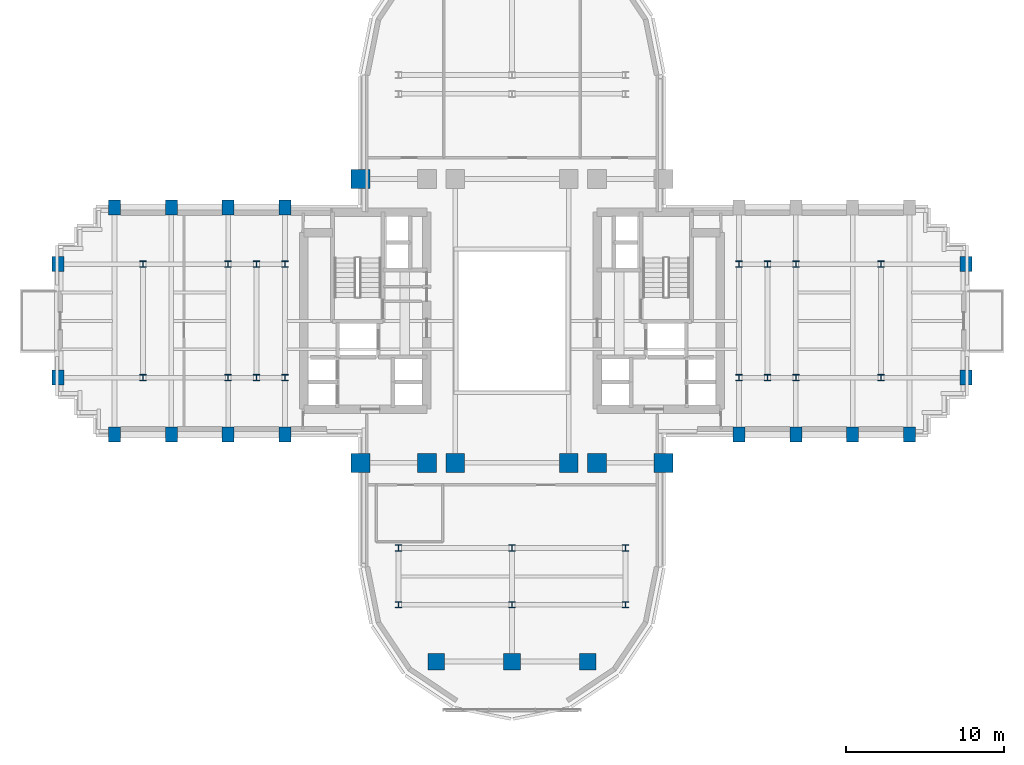
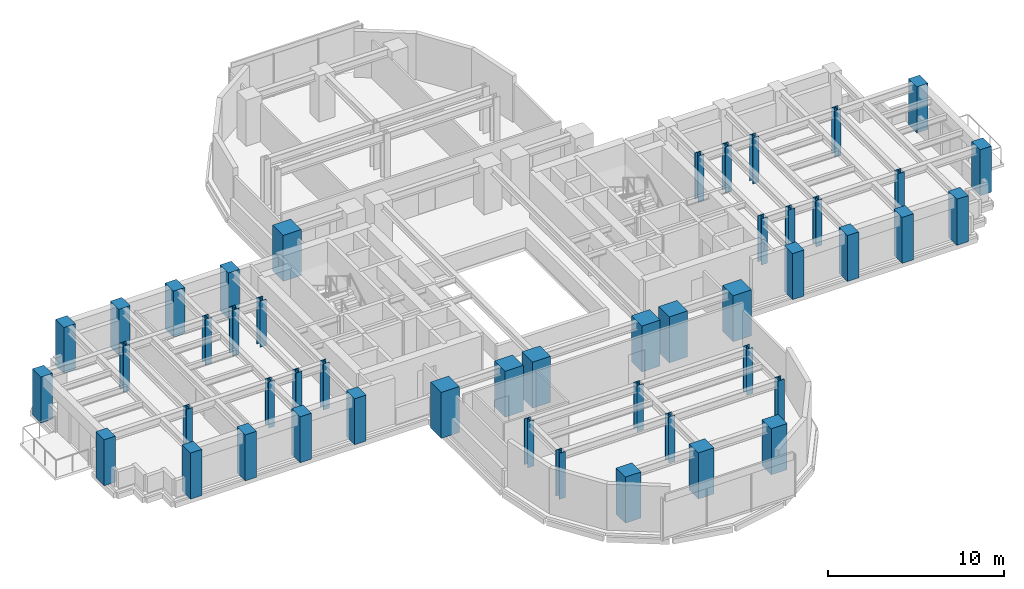
# One storey, part 1 of 14: 48 columns.
"""IFC4 building model written with IfcOpenShell, lengths in metres."""

from ifc_helpers import new_model, si_unit, direction, frame, origin, origin_2d, place, context, subcontext, project, spatial, rectangle, i_section, extrude, source, transform, mapped, material, material_profile, profile_set, type_object, element, save


model = new_model("IFC4")

# Units and contexts
model_context = context("Model", 3, precision=1e-05, world=origin(), true_north=direction((0.0, 1.0)))
body_context = subcontext(model_context, "Body", "Model", "MODEL_VIEW")
ifc_project = project(units=[si_unit("LENGTHUNIT", "METRE"), si_unit("AREAUNIT", "SQUARE_METRE"), si_unit("VOLUMEUNIT", "CUBIC_METRE"), si_unit("PLANEANGLEUNIT", "RADIAN"), si_unit("MASSUNIT", "GRAM", prefix="KILO")], contexts=[model_context])

# Site, building, storey
site_placement = place(None, origin())
site = spatial("IfcSite", under=ifc_project, at=site_placement, CompositionType="ELEMENT")
building_placement = place(site_placement, origin())
building = spatial("IfcBuilding", under=site, at=building_placement, Name="Keilestroom Media Tower", CompositionType="ELEMENT")
storey_placement = place(building_placement, frame((0.0, 0.0, 44.199951171875)))
storey = spatial("IfcBuildingStorey", under=building, at=storey_placement, Name="L10", CompositionType="ELEMENT", Elevation=44.199951171875)

# Columns
ifc_material_1 = material(Name="Precast concrete C40/50", Category="concrete")
ifc_material_profile_1 = material_profile(ifc_material_1, rectangle(XDim=0.75, YDim=0.949951171875, at=origin_2d()), Name="PC 950x750")
ifc_profile_set_1 = profile_set([ifc_material_profile_1], Name="Precast concrete C40/50")
column_type_1 = type_object("IfcColumnType", Name="Structural-Column-PC-950x750", PredefinedType="COLUMN", material=ifc_profile_set_1)
shared_shape_1 = source(origin(), body_context, "Body", "SweptSolid", [
    extrude(rectangle(XDim=0.75, YDim=0.949951171875, at=origin_2d()), origin(), (0.0, 0.0, 1.0), 3.199951171875),
])
for number, where, z_axis, x_axis, name in (
    (1, (-28.800048828125, -3.60009765625, 0.0), (0.0, 0.0, 1.0), (1.0, 0.0, 0.0), "L10 Column PC-1 (-28.8,-3.6)"),
    (2, (-28.800048828125, 3.60009765625, 0.0), (0.0, 0.0, 1.0), (1.0, 0.0, 0.0), "L10 Column PC-1 (-28.8,+3.6)"),
    (3, (-25.199951171875, -7.199951171875, 0.0), (0.0, 0.0, 1.0), (1.0, 0.0, 0.0), "L10 Column PC-1 (-25.2,-7.2)"),
    (4, (-25.199951171875, 7.199951171875, 0.0), (0.0, 0.0, 1.0), (1.0, 0.0, 0.0), "L10 Column PC-1 (-25.2,+7.2)"),
    (5, (-21.60009765625, -7.199951171875, 0.0), (0.0, 0.0, 1.0), (1.0, 0.0, 0.0), "L10 Column PC-1 (-21.6,-7.2)"),
    (6, (-21.60009765625, 7.199951171875, 0.0), (0.0, 0.0, 1.0), (1.0, 0.0, 0.0), "L10 Column PC-1 (-21.6,+7.2)"),
    (7, (-18.0, -7.199951171875, 0.0), (0.0, 0.0, 1.0), (1.0, 0.0, 0.0), "L10 Column PC-1 (-18.0,-7.2)"),
    (8, (-18.0, 7.199951171875, 0.0), (0.0, 0.0, 1.0), (1.0, 0.0, 0.0), "L10 Column PC-1 (-18.0,+7.2)"),
    (9, (-14.39990234375, -7.199951171875, 0.0), (0.0, 0.0, 1.0), (1.0, 0.0, 0.0), "L10 Column PC-1 (-14.4,-7.2)"),
    (10, (-14.39990234375, 7.199951171875, 0.0), (0.0, 0.0, 1.0), (1.0, 0.0, 0.0), "L10 Column PC-1 (-14.4,+7.2)"),
    (11, (14.39990234375, -7.199951171875, 0.0), (0.0, 0.0, 1.0), (1.0, 0.0, 0.0), "L10 Column PC-1 (+14.4,-7.2)"),
    (12, (18.0, -7.199951171875, 0.0), (0.0, 0.0, 1.0), (1.0, 0.0, 0.0), "L10 Column PC-1 (+18.0,-7.2)"),
    (13, (21.60009765625, -7.199951171875, 0.0), (0.0, 0.0, 1.0), (1.0, 0.0, 0.0), "L10 Column PC-1 (+21.6,-7.2)"),
    (14, (25.199951171875, -7.199951171875, 0.0), (0.0, 0.0, 1.0), (1.0, 0.0, 0.0), "L10 Column PC-1 (+25.2,-7.2)"),
    (15, (28.800048828125, -3.60009765625, 0.0), (0.0, 0.0, 1.0), (1.0, 0.0, 0.0), "L10 Column PC-1 (+28.8,-3.6)"),
    (16, (28.800048828125, 3.60009765625, 0.0), (0.0, 0.0, 1.0), (1.0, 0.0, 0.0), "L10 Column PC-1 (+28.8,+3.6)"),
):
    element("IfcColumn", number, at=place(storey_placement, frame(where, z_axis=z_axis, x_axis=x_axis)), inside=storey, type_object=column_type_1, Name=name, PredefinedType="COLUMN", context=body_context, shape_type="MappedRepresentation", body=[
        mapped(shared_shape_1, transform((0.0, 0.0, 0.0), x_axis=(1.0, 0.0, 0.0), y_axis=(0.0, 1.0, 0.0), z_axis=(0.0, 0.0, 1.0), scale=1.0)),
    ])
ifc_material_2 = material(Name="Steel S460", Category="steel")
ifc_material_profile_2 = material_profile(ifc_material_2, i_section(OverallWidth=0.404052734375, OverallDepth=0.406982421875, WebThickness=0.02197265625, FlangeThickness=0.035400390625, at=origin_2d()), Name="HD 400x347")
ifc_profile_set_2 = profile_set([ifc_material_profile_2], Name="Steel S460")
column_type_2 = type_object("IfcColumnType", Name="Structural-Column-HD-400x347", PredefinedType="COLUMN", material=ifc_profile_set_2)
shared_shape_2 = source(origin(), body_context, "Body", "SweptSolid", [
    extrude(i_section(OverallWidth=0.404052734375, OverallDepth=0.406982421875, WebThickness=0.02197265625, FlangeThickness=0.035400390625, at=origin_2d()), origin(), (0.0, 0.0, 1.0), 3.199951171875),
])
for number, where, z_axis, x_axis, name in (
    (17, (-23.39990234375, -3.60009765625, 0.0), (0.0, 0.0, 1.0), (1.0, 0.0, 0.0), "L10 Column SC-2 (-23.4,-3.6)"),
    (18, (-23.39990234375, 3.60009765625, 0.0), (0.0, 0.0, 1.0), (1.0, 0.0, 0.0), "L10 Column SC-2 (-23.4,+3.6)"),
    (19, (-18.0, -3.60009765625, 0.0), (0.0, 0.0, 1.0), (1.0, 0.0, 0.0), "L10 Column SC-2 (-18.0,-3.6)"),
    (20, (-18.0, 3.60009765625, 0.0), (0.0, 0.0, 1.0), (1.0, 0.0, 0.0), "L10 Column SC-2 (-18.0,+3.6)"),
    (21, (-16.199951171875, -3.60009765625, 0.0), (0.0, 0.0, 1.0), (1.0, 0.0, 0.0), "L10 Column SC-2 (-16.2,-3.6)"),
    (22, (-16.199951171875, 3.60009765625, 0.0), (0.0, 0.0, 1.0), (1.0, 0.0, 0.0), "L10 Column SC-2 (-16.2,+3.6)"),
    (23, (-14.39990234375, -3.60009765625, 0.0), (0.0, 0.0, 1.0), (1.0, 0.0, 0.0), "L10 Column SC-2 (-14.4,-3.6)"),
    (24, (-14.39990234375, 3.60009765625, 0.0), (0.0, 0.0, 1.0), (1.0, 0.0, 0.0), "L10 Column SC-2 (-14.4,+3.6)"),
    (25, (-7.199951171875, -18.0, 0.0), (0.0, 0.0, 1.0), (1.0, 0.0, 0.0), "L10 Column SC-2 (-7.2,-18.0)"),
    (26, (-7.199951171875, -14.39990234375, 0.0), (0.0, 0.0, 1.0), (1.0, 0.0, 0.0), "L10 Column SC-2 (-7.2,-14.4)"),
    (27, (0.0, -18.0, 0.0), (0.0, 0.0, 1.0), (1.0, 0.0, 0.0), "L10 Column SC-2 (+0.0,-18.0)"),
    (28, (0.0, -14.39990234375, 0.0), (0.0, 0.0, 1.0), (1.0, 0.0, 0.0), "L10 Column SC-2 (+0.0,-14.4)"),
    (29, (7.199951171875, -18.0, 0.0), (0.0, 0.0, 1.0), (1.0, 0.0, 0.0), "L10 Column SC-2 (+7.2,-18.0)"),
    (30, (7.199951171875, -14.39990234375, 0.0), (0.0, 0.0, 1.0), (1.0, 0.0, 0.0), "L10 Column SC-2 (+7.2,-14.4)"),
    (31, (14.39990234375, -3.60009765625, 0.0), (0.0, 0.0, 1.0), (1.0, 0.0, 0.0), "L10 Column SC-2 (+14.4,-3.6)"),
    (32, (14.39990234375, 3.60009765625, 0.0), (0.0, 0.0, 1.0), (1.0, 0.0, 0.0), "L10 Column SC-2 (+14.4,+3.6)"),
    (33, (16.199951171875, -3.60009765625, 0.0), (0.0, 0.0, 1.0), (1.0, 0.0, 0.0), "L10 Column SC-2 (+16.2,-3.6)"),
    (34, (16.199951171875, 3.60009765625, 0.0), (0.0, 0.0, 1.0), (1.0, 0.0, 0.0), "L10 Column SC-2 (+16.2,+3.6)"),
    (35, (18.0, -3.60009765625, 0.0), (0.0, 0.0, 1.0), (1.0, 0.0, 0.0), "L10 Column SC-2 (+18.0,-3.6)"),
    (36, (18.0, 3.60009765625, 0.0), (0.0, 0.0, 1.0), (1.0, 0.0, 0.0), "L10 Column SC-2 (+18.0,+3.6)"),
    (37, (23.39990234375, -3.60009765625, 0.0), (0.0, 0.0, 1.0), (1.0, 0.0, 0.0), "L10 Column SC-2 (+23.4,-3.6)"),
    (38, (23.39990234375, 3.60009765625, 0.0), (0.0, 0.0, 1.0), (1.0, 0.0, 0.0), "L10 Column SC-2 (+23.4,+3.6)"),
):
    element("IfcColumn", number, at=place(storey_placement, frame(where, z_axis=z_axis, x_axis=x_axis)), inside=storey, type_object=column_type_2, Name=name, PredefinedType="COLUMN", context=body_context, shape_type="MappedRepresentation", body=[
        mapped(shared_shape_2, transform((0.0, 0.0, 0.0), x_axis=(1.0, 0.0, 0.0), y_axis=(0.0, 1.0, 0.0), z_axis=(0.0, 0.0, 1.0), scale=1.0)),
    ])
ifc_material_3 = material(Name="Concrete C70/85", Category="concrete")
ifc_material_profile_3 = material_profile(ifc_material_3, rectangle(XDim=1.199951171875, YDim=1.199951171875, at=origin_2d()), Name="RC 1200x1200")
ifc_profile_set_3 = profile_set([ifc_material_profile_3], Name="Concrete C70/85")
column_type_3 = type_object("IfcColumnType", Name="Structural-Column-RC-1200x1200", PredefinedType="COLUMN", material=ifc_profile_set_3)
shared_shape_3 = source(origin(), body_context, "Body", "SweptSolid", [
    extrude(rectangle(XDim=1.199951171875, YDim=1.199951171875, at=origin_2d()), origin(), (0.0, 0.0, 1.0), 3.199951171875),
])
for number, where, z_axis, x_axis, name in (
    (39, (-9.60009765625, -9.0, 0.0), (0.0, 0.0, 1.0), (1.0, 0.0, 0.0), "L10 Column MC-2 (-9.6,-9.0)"),
    (40, (-9.60009765625, 9.0, 0.0), (0.0, 0.0, 1.0), (1.0, 0.0, 0.0), "L10 Column MC-2 (-9.6,+9.0)"),
    (41, (-5.39990234375, -9.0, 0.0), (0.0, 0.0, 1.0), (1.0, 0.0, 0.0), "L10 Column MC-2 (-5.4,-9.0)"),
    (42, (-3.60009765625, -9.0, 0.0), (0.0, 0.0, 1.0), (1.0, 0.0, 0.0), "L10 Column MC-2 (-3.6,-9.0)"),
    (43, (3.60009765625, -9.0, 0.0), (0.0, 0.0, 1.0), (1.0, 0.0, 0.0), "L10 Column MC-2 (+3.6,-9.0)"),
    (44, (5.39990234375, -9.0, 0.0), (0.0, 0.0, 1.0), (1.0, 0.0, 0.0), "L10 Column MC-2 (+5.4,-9.0)"),
    (45, (9.60009765625, -9.0, 0.0), (0.0, 0.0, 1.0), (1.0, 0.0, 0.0), "L10 Column MC-2 (+9.6,-9.0)"),
):
    element("IfcColumn", number, at=place(storey_placement, frame(where, z_axis=z_axis, x_axis=x_axis)), inside=storey, type_object=column_type_3, Name=name, PredefinedType="COLUMN", context=body_context, shape_type="MappedRepresentation", body=[
        mapped(shared_shape_3, transform((0.0, 0.0, 0.0), x_axis=(1.0, 0.0, 0.0), y_axis=(0.0, 1.0, 0.0), z_axis=(0.0, 0.0, 1.0), scale=1.0)),
    ])
ifc_material_4 = material(Name="Concrete C55/67", Category="concrete")
ifc_material_profile_4 = material_profile(ifc_material_4, rectangle(XDim=1.050048828125, YDim=1.050048828125, at=origin_2d()), Name="RC 1050x1050")
ifc_profile_set_4 = profile_set([ifc_material_profile_4], Name="Concrete C55/67")
column_type_4 = type_object("IfcColumnType", Name="Structural-Column-RC-1050x1050", PredefinedType="COLUMN", material=ifc_profile_set_4)
shared_shape_4 = source(origin(), body_context, "Body", "SweptSolid", [
    extrude(rectangle(XDim=1.050048828125, YDim=1.050048828125, at=origin_2d()), origin(), (0.0, 0.0, 1.0), 3.199951171875),
])
for number, where, z_axis, x_axis, name in (
    (46, (-4.800048828125, -21.60009765625, 0.0), (0.0, 0.0, 1.0), (1.0, 0.0, 0.0), "L10 Column MC-3 (-4.8,-21.6)"),
    (47, (0.0, -21.60009765625, 0.0), (0.0, 0.0, 1.0), (1.0, 0.0, 0.0), "L10 Column MC-3 (+0.0,-21.6)"),
    (48, (4.800048828125, -21.60009765625, 0.0), (0.0, 0.0, 1.0), (1.0, 0.0, 0.0), "L10 Column MC-3 (+4.8,-21.6)"),
):
    element("IfcColumn", number, at=place(storey_placement, frame(where, z_axis=z_axis, x_axis=x_axis)), inside=storey, type_object=column_type_4, Name=name, PredefinedType="COLUMN", context=body_context, shape_type="MappedRepresentation", body=[
        mapped(shared_shape_4, transform((0.0, 0.0, 0.0), x_axis=(1.0, 0.0, 0.0), y_axis=(0.0, 1.0, 0.0), z_axis=(0.0, 0.0, 1.0), scale=1.0)),
    ])

save(model, "model.ifc")
